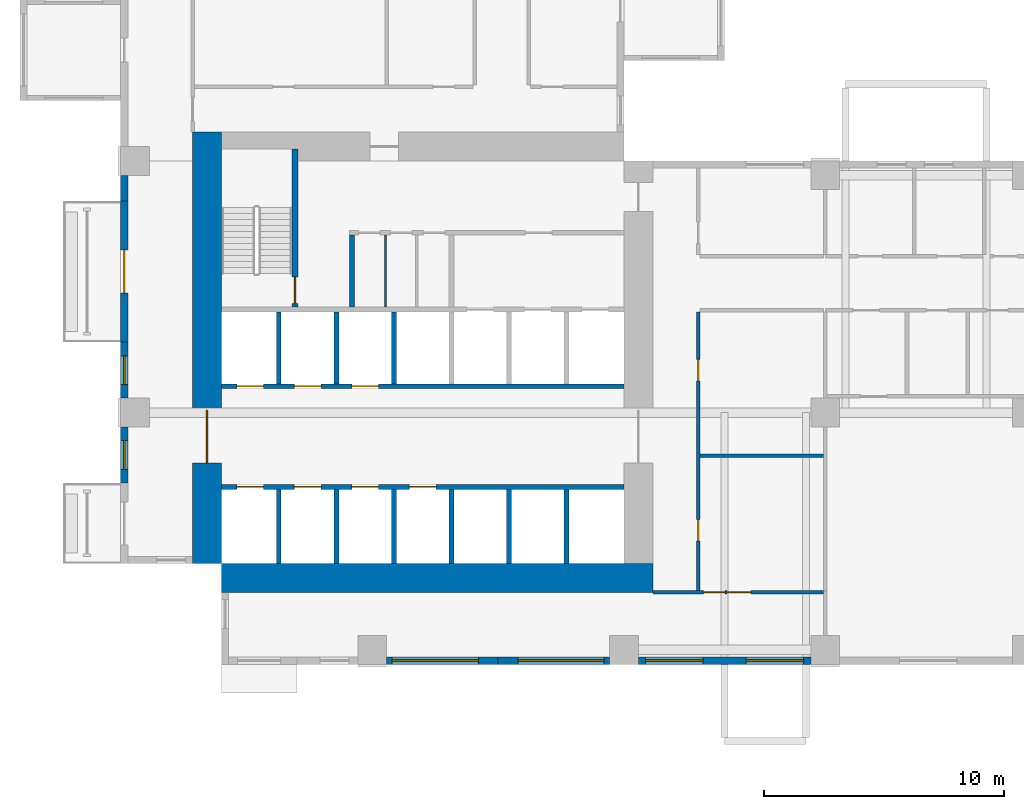
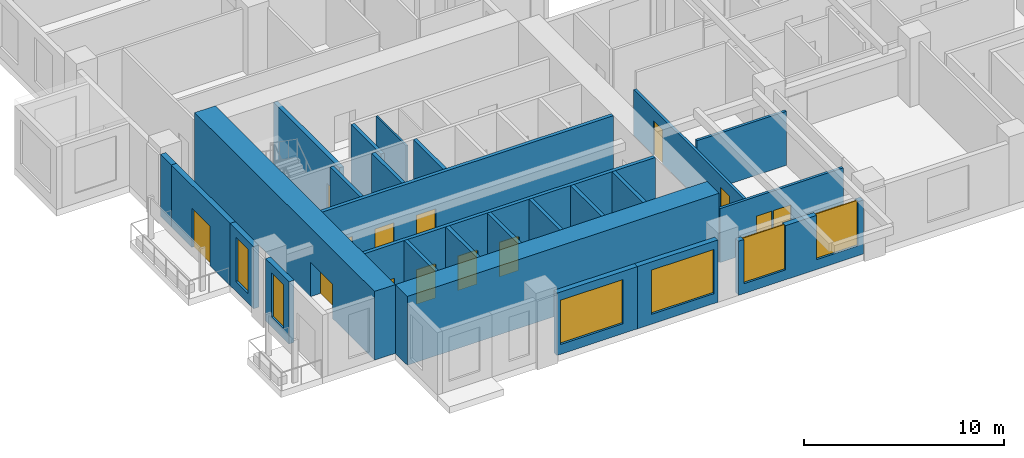
# One storey, part 2 of 15: 26 walls, 14 doors, 6 windows, 20 openings.
"""IFC4 building model written with IfcOpenShell, lengths in metres."""

from ifc_helpers import new_model, si_unit, direction, frame, frame_2d, origin, place, context, subcontext, project, spatial, rectangle, extrude, source, transform, mapped, material, layer, layer_set, type_object, element, fill, save


model = new_model("IFC4")

# Units and contexts
model_context = context("Model", 3, precision=1e-05, world=origin(), true_north=direction((0.0, 1.0)))
body_context = subcontext(model_context, "Body", "Model", "MODEL_VIEW")
ifc_project = project(units=[si_unit("LENGTHUNIT", "METRE"), si_unit("AREAUNIT", "SQUARE_METRE"), si_unit("VOLUMEUNIT", "CUBIC_METRE"), si_unit("PLANEANGLEUNIT", "RADIAN"), si_unit("MASSUNIT", "GRAM", prefix="KILO")], contexts=[model_context])

# Site, building, storey
site_placement = place(None, origin())
site = spatial("IfcSite", under=ifc_project, at=site_placement, CompositionType="ELEMENT")
building_placement = place(site_placement, origin())
building = spatial("IfcBuilding", under=site, at=building_placement, Name="Aurelian Terraces", CompositionType="ELEMENT")
storey_placement = place(building_placement, frame((0.0, 0.0, 61.5)))
storey = spatial("IfcBuildingStorey", under=building, at=storey_placement, Name="L12", CompositionType="ELEMENT", Elevation=61.5)

# Wall, opening, door
ifc_material_1 = material(Name="Concrete fc' 83 MPa", Category="concrete")
ifc_layer_1 = layer(ifc_material_1, 1.2)
ifc_layer_set_1 = layer_set([ifc_layer_1], Name="CORE WALL 1200 FC83")
wall_type_1 = type_object("IfcWallType", Name="CORE WALL 1200 FC83", PredefinedType="SHEAR", material=ifc_layer_set_1)
shared_shape_1 = source(origin(), body_context, "Body", "SweptSolid", [
    extrude(rectangle(XDim=18.0, YDim=1.2, at=frame_2d((9.0, 0.0))), origin(), (0.0, 0.0, 1.0), 4.2),
])
wall_1_placement = place(storey_placement, frame((3.6, 4.2, 0.0), z_axis=(0.0, 0.0, 1.0), x_axis=(0.0, 1.0, 0.0)))
wall_1 = element("IfcWall", 1, at=wall_1_placement, inside=storey, type_object=wall_type_1, Name="Core wall W L12", PredefinedType="SHEAR", context=body_context, shape_type="MappedRepresentation", body=[
    mapped(shared_shape_1, transform((0.0, 0.0, 0.0), scale=1.0)),
])
shared_shape_2 = source(origin(), body_context, "Body", "SweptSolid", [
    extrude(rectangle(XDim=2.2, YDim=2.1, at=frame_2d((1.1, 1.05))), frame((0.0, 0.61, 0.0), z_axis=(0.0, -1.0, 0.0), x_axis=(1.0, 0.0, 0.0)), (0.0, 0.0, 1.0), 1.22),
])
opening_1_placement = place(wall_1_placement, frame((4.2, 0.0, 0.0)))
opening_1 = element("IfcOpeningElement", 2, at=opening_1_placement, cuts=wall_1, Name="Opening 61522", PredefinedType="OPENING", context=body_context, shape_type="MappedRepresentation", body=[
    mapped(shared_shape_2, transform((0.0, 0.0, 0.0), scale=1.0)),
])
ifc_material_2 = material(Name="Steel door leaf", Category="steel")
door_type_1 = type_object("IfcDoorType", Name="Core double door 2200x2100", OperationType="DOUBLE_DOOR_SINGLE_SWING", PredefinedType="DOOR", material=ifc_material_2)
shared_shape_3 = source(origin(), body_context, "Body", "SweptSolid", [
    extrude(rectangle(XDim=2.2, YDim=2.1, at=frame_2d((1.1, 1.05))), frame((0.0, 0.025, 0.0), z_axis=(0.0, -1.0, 0.0), x_axis=(1.0, 0.0, 0.0)), (0.0, 0.0, 1.0), 0.05),
])
door_1_placement = place(opening_1_placement, origin())
door_1 = element("IfcDoor", 3, at=door_1_placement, inside=storey, type_object=door_type_1, Name="Core door 61522", OperationType="DOUBLE_DOOR_SINGLE_SWING", OverallHeight=2.1, OverallWidth=2.2, PredefinedType="DOOR", context=body_context, shape_type="MappedRepresentation", body=[
    mapped(shared_shape_3, transform((0.0, 0.0, 0.0), scale=1.0)),
])
fill(opening_1, door_1)

# Wall
wall_2_placement = place(storey_placement, frame((4.2, 3.6, 0.0), z_axis=(0.0, 0.0, 1.0), x_axis=(1.0, 0.0, 0.0)))
element("IfcWall", 4, at=wall_2_placement, inside=storey, type_object=wall_type_1, Name="Core wall S L12", PredefinedType="SHEAR", context=body_context, shape_type="MappedRepresentation", body=[
    mapped(shared_shape_1, transform((0.0, 0.0, 0.0), scale=1.0)),
])

# Wall, opening, window
ifc_material_3 = material(Name="Terracotta rainscreen cladding", Category="masonry")
ifc_layer_2 = layer(ifc_material_3, 0.3)
ifc_layer_set_2 = layer_set([ifc_layer_2], Name="EW-300")
wall_type_2 = type_object("IfcWallType", Name="EW-300", PredefinedType="STANDARD", material=ifc_layer_set_2)
shared_shape_4 = source(origin(), body_context, "Body", "SweptSolid", [
    extrude(rectangle(XDim=4.65, YDim=0.3, at=frame_2d((2.325, 0.0))), origin(), (0.0, 0.0, 1.0), 3.8),
])
wall_3_placement = place(storey_placement, frame((11.1, 0.15, 0.0), z_axis=(0.0, 0.0, 1.0), x_axis=(1.0, 0.0, 0.0)))
wall_3 = element("IfcWall", 5, at=wall_3_placement, inside=storey, type_object=wall_type_2, Name="External wall L12 F01.3", PredefinedType="STANDARD", context=body_context, shape_type="MappedRepresentation", body=[
    mapped(shared_shape_4, transform((0.0, 0.0, 0.0), scale=1.0)),
])
shared_shape_5 = source(origin(), body_context, "Body", "SweptSolid", [
    extrude(rectangle(XDim=3.6, YDim=2.7, at=frame_2d((1.8, 1.35))), frame((0.0, 0.16, 0.0), z_axis=(0.0, -1.0, 0.0), x_axis=(1.0, 0.0, 0.0)), (0.0, 0.0, 1.0), 0.32),
])
opening_2_placement = place(wall_3_placement, frame((0.225, 0.0, 0.6)))
opening_2 = element("IfcOpeningElement", 6, at=opening_2_placement, cuts=wall_3, Name="Opening W3627", PredefinedType="OPENING", context=body_context, shape_type="MappedRepresentation", body=[
    mapped(shared_shape_5, transform((0.0, 0.0, 0.0), scale=1.0)),
])
ifc_material_4 = material(Name="Clear glazing", Category="glass")
window_type_1 = type_object("IfcWindowType", Name="W-3600x2700", PartitioningType="SINGLE_PANEL", PredefinedType="WINDOW", material=ifc_material_4)
shared_shape_6 = source(origin(), body_context, "Body", "SweptSolid", [
    extrude(rectangle(XDim=3.6, YDim=2.7, at=frame_2d((1.8, 1.35))), frame((0.0, 0.03, 0.0), z_axis=(0.0, -1.0, 0.0), x_axis=(1.0, 0.0, 0.0)), (0.0, 0.0, 1.0), 0.06),
])
window_1_placement = place(opening_2_placement, origin())
window_1 = element("IfcWindow", 7, at=window_1_placement, inside=storey, type_object=window_type_1, Name="Window L12 L12-F01-03-0", OverallHeight=2.7, OverallWidth=3.6, PartitioningType="SINGLE_PANEL", PredefinedType="WINDOW", context=body_context, shape_type="MappedRepresentation", body=[
    mapped(shared_shape_6, transform((0.0, 0.0, 0.0), scale=1.0)),
])
fill(opening_2, window_1)

wall_4_placement = place(storey_placement, frame((15.75, 0.15, 0.0), z_axis=(0.0, 0.0, 1.0), x_axis=(1.0, 0.0, 0.0)))
wall_4 = element("IfcWall", 8, at=wall_4_placement, inside=storey, type_object=wall_type_2, Name="External wall L12 F01.4", PredefinedType="STANDARD", context=body_context, shape_type="MappedRepresentation", body=[
    mapped(shared_shape_4, transform((0.0, 0.0, 0.0), scale=1.0)),
])
opening_3_placement = place(wall_4_placement, frame((0.825, 0.0, 0.6)))
opening_3 = element("IfcOpeningElement", 9, at=opening_3_placement, cuts=wall_4, Name="Opening W3627", PredefinedType="OPENING", context=body_context, shape_type="MappedRepresentation", body=[
    mapped(shared_shape_5, transform((0.0, 0.0, 0.0), scale=1.0)),
])
window_2_placement = place(opening_3_placement, origin())
window_2 = element("IfcWindow", 10, at=window_2_placement, inside=storey, type_object=window_type_1, Name="Window L12 L12-F01-04-0", OverallHeight=2.7, OverallWidth=3.6, PartitioningType="SINGLE_PANEL", PredefinedType="WINDOW", context=body_context, shape_type="MappedRepresentation", body=[
    mapped(shared_shape_6, transform((0.0, 0.0, 0.0), scale=1.0)),
])
fill(opening_3, window_2)

# Wall, opening, door
shared_shape_7 = source(origin(), body_context, "Body", "SweptSolid", [
    extrude(rectangle(XDim=5.88, YDim=0.3, at=frame_2d((2.94, 0.0))), origin(), (0.0, 0.0, 1.0), 3.8),
])
wall_5_placement = place(storey_placement, frame((0.15, 19.32, 0.0), z_axis=(0.0, 0.0, 1.0), x_axis=(0.0, -1.0, 0.0)))
wall_5 = element("IfcWall", 11, at=wall_5_placement, inside=storey, type_object=wall_type_2, Name="External wall L12 F14.39", PredefinedType="STANDARD", context=body_context, shape_type="MappedRepresentation", body=[
    mapped(shared_shape_7, transform((0.0, 0.0, 0.0), scale=1.0)),
])
shared_shape_8 = source(origin(), body_context, "Body", "SweptSolid", [
    extrude(rectangle(XDim=1.8, YDim=2.4, at=frame_2d((0.9, 1.2))), frame((0.0, 0.16, 0.0), z_axis=(0.0, -1.0, 0.0), x_axis=(1.0, 0.0, 0.0)), (0.0, 0.0, 1.0), 0.32),
])
opening_4_placement = place(wall_5_placement, frame((2.04, 0.0, 0.0)))
opening_4 = element("IfcOpeningElement", 12, at=opening_4_placement, cuts=wall_5, Name="Opening 81203", PredefinedType="OPENING", context=body_context, shape_type="MappedRepresentation", body=[
    mapped(shared_shape_8, transform((0.0, 0.0, 0.0), scale=1.0)),
])
door_type_2 = type_object("IfcDoorType", Name="BD-1800x2400", OperationType="SLIDING_TO_LEFT", PredefinedType="DOOR", material=ifc_material_4)
shared_shape_9 = source(origin(), body_context, "Body", "SweptSolid", [
    extrude(rectangle(XDim=1.8, YDim=2.4, at=frame_2d((0.9, 1.2))), frame((0.0, 0.025, 0.0), z_axis=(0.0, -1.0, 0.0), x_axis=(1.0, 0.0, 0.0)), (0.0, 0.0, 1.0), 0.05),
])
door_2_placement = place(opening_4_placement, origin())
door_2 = element("IfcDoor", 13, at=door_2_placement, inside=storey, type_object=door_type_2, Name="Balcony door L12 F14.39", OperationType="SLIDING_TO_LEFT", OverallHeight=2.4, OverallWidth=1.8, PredefinedType="DOOR", context=body_context, shape_type="MappedRepresentation", body=[
    mapped(shared_shape_9, transform((0.0, 0.0, 0.0), scale=1.0)),
])
fill(opening_4, door_2)

# Wall, opening, window
shared_shape_10 = source(origin(), body_context, "Body", "SweptSolid", [
    extrude(rectangle(XDim=2.34, YDim=0.3, at=frame_2d((1.17, 0.0))), origin(), (0.0, 0.0, 1.0), 3.8),
])
wall_6_placement = place(storey_placement, frame((0.15, 13.44, 0.0), z_axis=(0.0, 0.0, 1.0), x_axis=(0.0, -1.0, 0.0)))
wall_6 = element("IfcWall", 14, at=wall_6_placement, inside=storey, type_object=wall_type_2, Name="External wall L12 F14.40", PredefinedType="STANDARD", context=body_context, shape_type="MappedRepresentation", body=[
    mapped(shared_shape_10, transform((0.0, 0.0, 0.0), scale=1.0)),
])
shared_shape_11 = source(origin(), body_context, "Body", "SweptSolid", [
    extrude(rectangle(XDim=1.2, YDim=2.7, at=frame_2d((0.6, 1.35))), frame((0.0, 0.16, 0.0), z_axis=(0.0, -1.0, 0.0), x_axis=(1.0, 0.0, 0.0)), (0.0, 0.0, 1.0), 0.32),
])
opening_5_placement = place(wall_6_placement, frame((0.57, 0.0, 0.6)))
opening_5 = element("IfcOpeningElement", 15, at=opening_5_placement, cuts=wall_6, Name="Opening W1227", PredefinedType="OPENING", context=body_context, shape_type="MappedRepresentation", body=[
    mapped(shared_shape_11, transform((0.0, 0.0, 0.0), scale=1.0)),
])
window_type_2 = type_object("IfcWindowType", Name="W-1200x2700", PartitioningType="SINGLE_PANEL", PredefinedType="WINDOW", material=ifc_material_4)
shared_shape_12 = source(origin(), body_context, "Body", "SweptSolid", [
    extrude(rectangle(XDim=1.2, YDim=2.7, at=frame_2d((0.6, 1.35))), frame((0.0, 0.03, 0.0), z_axis=(0.0, -1.0, 0.0), x_axis=(1.0, 0.0, 0.0)), (0.0, 0.0, 1.0), 0.06),
])
window_3_placement = place(opening_5_placement, origin())
window_3 = element("IfcWindow", 16, at=window_3_placement, inside=storey, type_object=window_type_2, Name="Window L12 L12-F14-40-P0", OverallHeight=2.7, OverallWidth=1.2, PartitioningType="SINGLE_PANEL", PredefinedType="WINDOW", context=body_context, shape_type="MappedRepresentation", body=[
    mapped(shared_shape_12, transform((0.0, 0.0, 0.0), scale=1.0)),
])
fill(opening_5, window_3)

wall_7_placement = place(storey_placement, frame((0.15, 9.9, 0.0), z_axis=(0.0, 0.0, 1.0), x_axis=(0.0, -1.0, 0.0)))
wall_7 = element("IfcWall", 17, at=wall_7_placement, inside=storey, type_object=wall_type_2, Name="External wall L12 F14.40", PredefinedType="STANDARD", context=body_context, shape_type="MappedRepresentation", body=[
    mapped(shared_shape_10, transform((0.0, 0.0, 0.0), scale=1.0)),
])
opening_6_placement = place(wall_7_placement, frame((0.57, 0.0, 0.6)))
opening_6 = element("IfcOpeningElement", 18, at=opening_6_placement, cuts=wall_7, Name="Opening W1227", PredefinedType="OPENING", context=body_context, shape_type="MappedRepresentation", body=[
    mapped(shared_shape_11, transform((0.0, 0.0, 0.0), scale=1.0)),
])
window_4_placement = place(opening_6_placement, origin())
window_4 = element("IfcWindow", 19, at=window_4_placement, inside=storey, type_object=window_type_2, Name="Window L12 L12-F14-40-P1", OverallHeight=2.7, OverallWidth=1.2, PartitioningType="SINGLE_PANEL", PredefinedType="WINDOW", context=body_context, shape_type="MappedRepresentation", body=[
    mapped(shared_shape_12, transform((0.0, 0.0, 0.0), scale=1.0)),
])
fill(opening_6, window_4)

# Wall, openings, windows
shared_shape_13 = source(origin(), body_context, "Body", "SweptSolid", [
    extrude(rectangle(XDim=7.2, YDim=0.3, at=frame_2d((3.6, 0.0))), origin(), (0.0, 0.0, 1.0), 3.3),
])
wall_8_placement = place(storey_placement, frame((21.6, 0.15, 0.0), z_axis=(0.0, 0.0, 1.0), x_axis=(1.0, 0.0, 0.0)))
wall_8 = element("IfcWall", 20, at=wall_8_placement, inside=storey, type_object=wall_type_2, Name="External wall L12 F01.5", PredefinedType="STANDARD", context=body_context, shape_type="MappedRepresentation", body=[
    mapped(shared_shape_13, transform((0.0, 0.0, 0.0), scale=1.0)),
])
shared_shape_14 = source(origin(), body_context, "Body", "SweptSolid", [
    extrude(rectangle(XDim=2.4, YDim=2.7, at=frame_2d((1.2, 1.35))), frame((0.0, 0.16, 0.0), z_axis=(0.0, -1.0, 0.0), x_axis=(1.0, 0.0, 0.0)), (0.0, 0.0, 1.0), 0.32),
])
opening_7_placement = place(wall_8_placement, frame((0.3, 0.0, 0.6)))
opening_7 = element("IfcOpeningElement", 21, at=opening_7_placement, cuts=wall_8, Name="Opening W2427", PredefinedType="OPENING", context=body_context, shape_type="MappedRepresentation", body=[
    mapped(shared_shape_14, transform((0.0, 0.0, 0.0), scale=1.0)),
])
opening_8_placement = place(wall_8_placement, frame((4.5, 0.0, 0.6)))
opening_8 = element("IfcOpeningElement", 22, at=opening_8_placement, cuts=wall_8, Name="Opening W2427", PredefinedType="OPENING", context=body_context, shape_type="MappedRepresentation", body=[
    mapped(shared_shape_14, transform((0.0, 0.0, 0.0), scale=1.0)),
])
window_type_3 = type_object("IfcWindowType", Name="W-2400x2700", PartitioningType="SINGLE_PANEL", PredefinedType="WINDOW", material=ifc_material_4)
shared_shape_15 = source(origin(), body_context, "Body", "SweptSolid", [
    extrude(rectangle(XDim=2.4, YDim=2.7, at=frame_2d((1.2, 1.35))), frame((0.0, 0.03, 0.0), z_axis=(0.0, -1.0, 0.0), x_axis=(1.0, 0.0, 0.0)), (0.0, 0.0, 1.0), 0.06),
])
window_5_placement = place(opening_7_placement, origin())
window_5 = element("IfcWindow", 23, at=window_5_placement, inside=storey, type_object=window_type_3, Name="Window L12 L12-F01-05-0", OverallHeight=2.7, OverallWidth=2.4, PartitioningType="SINGLE_PANEL", PredefinedType="WINDOW", context=body_context, shape_type="MappedRepresentation", body=[
    mapped(shared_shape_15, transform((0.0, 0.0, 0.0), scale=1.0)),
])
fill(opening_7, window_5)
window_6_placement = place(opening_8_placement, origin())
window_6 = element("IfcWindow", 24, at=window_6_placement, inside=storey, type_object=window_type_3, Name="Window L12 L12-F01-05-1", OverallHeight=2.7, OverallWidth=2.4, PartitioningType="SINGLE_PANEL", PredefinedType="WINDOW", context=body_context, shape_type="MappedRepresentation", body=[
    mapped(shared_shape_15, transform((0.0, 0.0, 0.0), scale=1.0)),
])
fill(opening_8, window_6)

# Walls
shared_shape_16 = source(origin(), body_context, "Body", "SweptSolid", [
    extrude(rectangle(XDim=1.08, YDim=0.3, at=frame_2d((0.54, 0.0))), origin(), (0.0, 0.0, 1.0), 3.8),
])
wall_9_placement = place(storey_placement, frame((0.15, 20.4, 0.0), z_axis=(0.0, 0.0, 1.0), x_axis=(0.0, -1.0, 0.0)))
element("IfcWall", 25, at=wall_9_placement, inside=storey, type_object=wall_type_2, Name="External wall L12 F14.38", PredefinedType="STANDARD", context=body_context, shape_type="MappedRepresentation", body=[
    mapped(shared_shape_16, transform((0.0, 0.0, 0.0), scale=1.0)),
])
ifc_material_5 = material(Name="Concrete fc' 40 MPa", Category="concrete")
ifc_layer_3 = layer(ifc_material_5, 0.2)
ifc_layer_set_3 = layer_set([ifc_layer_3], Name="Lift shaft wall 200")
wall_type_3 = type_object("IfcWallType", Name="Lift shaft wall 200", PredefinedType="SOLIDWALL", material=ifc_layer_set_3)
shared_shape_17 = source(origin(), body_context, "Body", "SweptSolid", [
    extrude(rectangle(XDim=3.1, YDim=0.2, at=frame_2d((1.55, 0.0))), origin(), (0.0, 0.0, 1.0), 4.2),
])
for number, where, z_axis, x_axis, name in (
    (26, (6.6, 4.2, 0.0), (0.0, 0.0, 1.0), (0.0, 1.0, 0.0), "L12 core wall CD-A1"),
    (27, (9.0, 4.2, 0.0), (0.0, 0.0, 1.0), (0.0, 1.0, 0.0), "L12 core wall CD-A2"),
    (28, (11.4, 4.2, 0.0), (0.0, 0.0, 1.0), (0.0, 1.0, 0.0), "L12 core wall CD-A3"),
    (29, (13.8, 4.2, 0.0), (0.0, 0.0, 1.0), (0.0, 1.0, 0.0), "L12 core wall CD-A4"),
    (30, (16.2, 4.2, 0.0), (0.0, 0.0, 1.0), (0.0, 1.0, 0.0), "L12 core wall CD-A5"),
    (31, (18.6, 4.2, 0.0), (0.0, 0.0, 1.0), (0.0, 1.0, 0.0), "L12 core wall CD-A6"),
):
    element("IfcWall", number, at=place(storey_placement, frame(where, z_axis=z_axis, x_axis=x_axis)), inside=storey, type_object=wall_type_3, Name=name, PredefinedType="SOLIDWALL", context=body_context, shape_type="MappedRepresentation", body=[
        mapped(shared_shape_17, transform((0.0, 0.0, 0.0), scale=1.0)),
    ])
shared_shape_18 = source(origin(), body_context, "Body", "SweptSolid", [
    extrude(rectangle(XDim=3.0, YDim=0.2, at=frame_2d((1.5, 0.0))), origin(), (0.0, 0.0, 1.0), 4.2),
])
for number, where, z_axis, x_axis, name in (
    (32, (6.6, 11.7, 0.0), (0.0, 0.0, 1.0), (0.0, 1.0, 0.0), "L12 core wall CD-B1"),
    (33, (9.0, 11.7, 0.0), (0.0, 0.0, 1.0), (0.0, 1.0, 0.0), "L12 core wall CD-B2"),
    (34, (11.4, 11.7, 0.0), (0.0, 0.0, 1.0), (0.0, 1.0, 0.0), "L12 core wall CD-B3"),
):
    element("IfcWall", number, at=place(storey_placement, frame(where, z_axis=z_axis, x_axis=x_axis)), inside=storey, type_object=wall_type_3, Name=name, PredefinedType="SOLIDWALL", context=body_context, shape_type="MappedRepresentation", body=[
        mapped(shared_shape_18, transform((0.0, 0.0, 0.0), scale=1.0)),
    ])

# Wall, openings, doors
shared_shape_19 = source(origin(), body_context, "Body", "SweptSolid", [
    extrude(rectangle(XDim=16.8, YDim=0.2, at=frame_2d((8.4, 0.0))), origin(), (0.0, 0.0, 1.0), 4.2),
])
wall_10_placement = place(storey_placement, frame((4.2, 7.4, 0.0), z_axis=(0.0, 0.0, 1.0), x_axis=(1.0, 0.0, 0.0)))
wall_10 = element("IfcWall", 35, at=wall_10_placement, inside=storey, type_object=wall_type_3, Name="L12 core wall CF-AF1", PredefinedType="SOLIDWALL", context=body_context, shape_type="MappedRepresentation", body=[
    mapped(shared_shape_19, transform((0.0, 0.0, 0.0), scale=1.0)),
])
shared_shape_20 = source(origin(), body_context, "Body", "SweptSolid", [
    extrude(rectangle(XDim=1.1, YDim=2.1, at=frame_2d((0.55, 1.05))), frame((0.0, 0.11, 0.0), z_axis=(0.0, -1.0, 0.0), x_axis=(1.0, 0.0, 0.0)), (0.0, 0.0, 1.0), 0.22),
])
opening_9_placement = place(wall_10_placement, frame((0.65, 0.0, 0.0)))
opening_9 = element("IfcOpeningElement", 36, at=opening_9_placement, cuts=wall_10, Name="Opening 61500", PredefinedType="OPENING", context=body_context, shape_type="MappedRepresentation", body=[
    mapped(shared_shape_20, transform((0.0, 0.0, 0.0), scale=1.0)),
])
opening_10_placement = place(wall_10_placement, frame((3.05, 0.0, 0.0)))
opening_10 = element("IfcOpeningElement", 37, at=opening_10_placement, cuts=wall_10, Name="Opening 61501", PredefinedType="OPENING", context=body_context, shape_type="MappedRepresentation", body=[
    mapped(shared_shape_20, transform((0.0, 0.0, 0.0), scale=1.0)),
])
opening_11_placement = place(wall_10_placement, frame((5.45, 0.0, 0.0)))
opening_11 = element("IfcOpeningElement", 38, at=opening_11_placement, cuts=wall_10, Name="Opening 61502", PredefinedType="OPENING", context=body_context, shape_type="MappedRepresentation", body=[
    mapped(shared_shape_20, transform((0.0, 0.0, 0.0), scale=1.0)),
])
opening_12_placement = place(wall_10_placement, frame((7.85, 0.0, 0.0)))
opening_12 = element("IfcOpeningElement", 39, at=opening_12_placement, cuts=wall_10, Name="Opening 61503", PredefinedType="OPENING", context=body_context, shape_type="MappedRepresentation", body=[
    mapped(shared_shape_20, transform((0.0, 0.0, 0.0), scale=1.0)),
])
ifc_material_6 = material(Name="Stainless steel", Category="steel")
door_type_3 = type_object("IfcDoorType", Name="Lift landing door 1100x2100", OperationType="SLIDING_TO_LEFT", PredefinedType="DOOR", material=ifc_material_6)
shared_shape_21 = source(origin(), body_context, "Body", "SweptSolid", [
    extrude(rectangle(XDim=1.1, YDim=2.1, at=frame_2d((0.55, 1.05))), frame((0.0, 0.025, 0.0), z_axis=(0.0, -1.0, 0.0), x_axis=(1.0, 0.0, 0.0)), (0.0, 0.0, 1.0), 0.05),
])
door_3_placement = place(opening_9_placement, origin())
door_3 = element("IfcDoor", 40, at=door_3_placement, inside=storey, type_object=door_type_3, Name="Lift landing door LL1 L12", OperationType="SLIDING_TO_LEFT", OverallHeight=2.1, OverallWidth=1.1, PredefinedType="DOOR", context=body_context, shape_type="MappedRepresentation", body=[
    mapped(shared_shape_21, transform((0.0, 0.0, 0.0), scale=1.0)),
])
fill(opening_9, door_3)
door_4_placement = place(opening_10_placement, origin())
door_4 = element("IfcDoor", 41, at=door_4_placement, inside=storey, type_object=door_type_3, Name="Lift landing door LL2 L12", OperationType="SLIDING_TO_LEFT", OverallHeight=2.1, OverallWidth=1.1, PredefinedType="DOOR", context=body_context, shape_type="MappedRepresentation", body=[
    mapped(shared_shape_21, transform((0.0, 0.0, 0.0), scale=1.0)),
])
fill(opening_10, door_4)
door_5_placement = place(opening_11_placement, origin())
door_5 = element("IfcDoor", 42, at=door_5_placement, inside=storey, type_object=door_type_3, Name="Lift landing door LL3 L12", OperationType="SLIDING_TO_LEFT", OverallHeight=2.1, OverallWidth=1.1, PredefinedType="DOOR", context=body_context, shape_type="MappedRepresentation", body=[
    mapped(shared_shape_21, transform((0.0, 0.0, 0.0), scale=1.0)),
])
fill(opening_11, door_5)
door_6_placement = place(opening_12_placement, origin())
door_6 = element("IfcDoor", 43, at=door_6_placement, inside=storey, type_object=door_type_3, Name="Lift landing door LL4 L12", OperationType="SLIDING_TO_LEFT", OverallHeight=2.1, OverallWidth=1.1, PredefinedType="DOOR", context=body_context, shape_type="MappedRepresentation", body=[
    mapped(shared_shape_21, transform((0.0, 0.0, 0.0), scale=1.0)),
])
fill(opening_12, door_6)

wall_11_placement = place(storey_placement, frame((4.2, 11.6, 0.0), z_axis=(0.0, 0.0, 1.0), x_axis=(1.0, 0.0, 0.0)))
wall_11 = element("IfcWall", 44, at=wall_11_placement, inside=storey, type_object=wall_type_3, Name="L12 core wall CF-BF1", PredefinedType="SOLIDWALL", context=body_context, shape_type="MappedRepresentation", body=[
    mapped(shared_shape_19, transform((0.0, 0.0, 0.0), scale=1.0)),
])
opening_13_placement = place(wall_11_placement, frame((0.65, 0.0, 0.0)))
opening_13 = element("IfcOpeningElement", 45, at=opening_13_placement, cuts=wall_11, Name="Opening 61504", PredefinedType="OPENING", context=body_context, shape_type="MappedRepresentation", body=[
    mapped(shared_shape_20, transform((0.0, 0.0, 0.0), scale=1.0)),
])
opening_14_placement = place(wall_11_placement, frame((3.05, 0.0, 0.0)))
opening_14 = element("IfcOpeningElement", 46, at=opening_14_placement, cuts=wall_11, Name="Opening 61505", PredefinedType="OPENING", context=body_context, shape_type="MappedRepresentation", body=[
    mapped(shared_shape_20, transform((0.0, 0.0, 0.0), scale=1.0)),
])
opening_15_placement = place(wall_11_placement, frame((5.45, 0.0, 0.0)))
opening_15 = element("IfcOpeningElement", 47, at=opening_15_placement, cuts=wall_11, Name="Opening 61506", PredefinedType="OPENING", context=body_context, shape_type="MappedRepresentation", body=[
    mapped(shared_shape_20, transform((0.0, 0.0, 0.0), scale=1.0)),
])
door_7_placement = place(opening_13_placement, origin())
door_7 = element("IfcDoor", 48, at=door_7_placement, inside=storey, type_object=door_type_3, Name="Lift landing door LL5 L12", OperationType="SLIDING_TO_LEFT", OverallHeight=2.1, OverallWidth=1.1, PredefinedType="DOOR", context=body_context, shape_type="MappedRepresentation", body=[
    mapped(shared_shape_21, transform((0.0, 0.0, 0.0), scale=1.0)),
])
fill(opening_13, door_7)
door_8_placement = place(opening_14_placement, origin())
door_8 = element("IfcDoor", 49, at=door_8_placement, inside=storey, type_object=door_type_3, Name="Lift landing door LL6 L12", OperationType="SLIDING_TO_LEFT", OverallHeight=2.1, OverallWidth=1.1, PredefinedType="DOOR", context=body_context, shape_type="MappedRepresentation", body=[
    mapped(shared_shape_21, transform((0.0, 0.0, 0.0), scale=1.0)),
])
fill(opening_14, door_8)
door_9_placement = place(opening_15_placement, origin())
door_9 = element("IfcDoor", 50, at=door_9_placement, inside=storey, type_object=door_type_3, Name="Lift landing door LL7 L12", OperationType="SLIDING_TO_LEFT", OverallHeight=2.1, OverallWidth=1.1, PredefinedType="DOOR", context=body_context, shape_type="MappedRepresentation", body=[
    mapped(shared_shape_21, transform((0.0, 0.0, 0.0), scale=1.0)),
])
fill(opening_15, door_9)

# Walls
ifc_material_7 = material(Name="Gypsum board on steel studs", Category="steel")
ifc_layer_4 = layer(ifc_material_7, 0.2)
ifc_layer_set_4 = layer_set([ifc_layer_4], Name="Core partition 200")
wall_type_4 = type_object("IfcWallType", Name="Core partition 200", PredefinedType="PARTITIONING", material=ifc_layer_set_4)
shared_shape_22 = source(origin(), body_context, "Body", "SweptSolid", [
    extrude(rectangle(XDim=3.0, YDim=0.2, at=frame_2d((1.5, 0.0))), origin(), (0.0, 0.0, 1.0), 3.8),
])
wall_12_placement = place(storey_placement, frame((9.65, 14.9, 0.0), z_axis=(0.0, 0.0, 1.0), x_axis=(0.0, 1.0, 0.0)))
element("IfcWall", 51, at=wall_12_placement, inside=storey, type_object=wall_type_4, Name="L12 core wall CP-VEST", PredefinedType="PARTITIONING", context=body_context, shape_type="MappedRepresentation", body=[
    mapped(shared_shape_22, transform((0.0, 0.0, 0.0), scale=1.0)),
])
ifc_layer_5 = layer(ifc_material_7, 0.1)
ifc_layer_set_5 = layer_set([ifc_layer_5], Name="Core partition 100")
wall_type_5 = type_object("IfcWallType", Name="Core partition 100", PredefinedType="PARTITIONING", material=ifc_layer_set_5)
shared_shape_23 = source(origin(), body_context, "Body", "SweptSolid", [
    extrude(rectangle(XDim=3.0, YDim=0.1, at=frame_2d((1.5, 0.0))), origin(), (0.0, 0.0, 1.0), 3.8),
])
wall_13_placement = place(storey_placement, frame((11.05, 14.9, 0.0), z_axis=(0.0, 0.0, 1.0), x_axis=(0.0, 1.0, 0.0)))
element("IfcWall", 52, at=wall_13_placement, inside=storey, type_object=wall_type_5, Name="L12 core wall CP-SV1", PredefinedType="PARTITIONING", context=body_context, shape_type="MappedRepresentation", body=[
    mapped(shared_shape_23, transform((0.0, 0.0, 0.0), scale=1.0)),
])

# Wall, opening, door
ifc_layer_6 = layer(ifc_material_5, 0.25)
ifc_layer_set_6 = layer_set([ifc_layer_6], Name="Stair enclosure wall 250")
wall_type_6 = type_object("IfcWallType", Name="Stair enclosure wall 250", PredefinedType="SOLIDWALL", material=ifc_layer_set_6)
shared_shape_24 = source(origin(), body_context, "Body", "SweptSolid", [
    extrude(rectangle(XDim=6.6, YDim=0.25, at=frame_2d((3.3, 0.0))), origin(), (0.0, 0.0, 1.0), 3.8),
])
wall_14_placement = place(storey_placement, frame((7.275, 14.9, 0.0), z_axis=(0.0, 0.0, 1.0), x_axis=(0.0, 1.0, 0.0)))
wall_14 = element("IfcWall", 53, at=wall_14_placement, inside=storey, type_object=wall_type_6, Name="L12 core wall ST-S1-E", PredefinedType="SOLIDWALL", context=body_context, shape_type="MappedRepresentation", body=[
    mapped(shared_shape_24, transform((0.0, 0.0, 0.0), scale=1.0)),
])
shared_shape_25 = source(origin(), body_context, "Body", "SweptSolid", [
    extrude(rectangle(XDim=1.1, YDim=2.1, at=frame_2d((0.55, 1.05))), frame((0.0, 0.135, 0.0), z_axis=(0.0, -1.0, 0.0), x_axis=(1.0, 0.0, 0.0)), (0.0, 0.0, 1.0), 0.27),
])
opening_16_placement = place(wall_14_placement, frame((0.15, 0.0, 0.0)))
opening_16 = element("IfcOpeningElement", 54, at=opening_16_placement, cuts=wall_14, Name="Opening 61510", PredefinedType="OPENING", context=body_context, shape_type="MappedRepresentation", body=[
    mapped(shared_shape_25, transform((0.0, 0.0, 0.0), scale=1.0)),
])
door_type_4 = type_object("IfcDoorType", Name="Core fire door 1100x2100 right", OperationType="SINGLE_SWING_RIGHT", PredefinedType="DOOR", material=ifc_material_2)
door_10_placement = place(opening_16_placement, origin())
door_10 = element("IfcDoor", 55, at=door_10_placement, inside=storey, type_object=door_type_4, Name="Stair door 61510", OperationType="SINGLE_SWING_RIGHT", OverallHeight=2.1, OverallWidth=1.1, PredefinedType="DOOR", context=body_context, shape_type="MappedRepresentation", body=[
    mapped(shared_shape_21, transform((0.0, 0.0, 0.0), scale=1.0)),
])
fill(opening_16, door_10)

# Wall
ifc_layer_7 = layer(ifc_material_7, 0.15)
ifc_layer_set_7 = layer_set([ifc_layer_7], Name="Partition 150")
wall_type_7 = type_object("IfcWallType", Name="Partition 150", PredefinedType="PARTITIONING", material=ifc_layer_set_7)
shared_shape_26 = source(origin(), body_context, "Body", "SweptSolid", [
    extrude(rectangle(XDim=5.15, YDim=0.15, at=frame_2d((2.575, 0.0))), origin(), (0.0, 0.0, 1.0), 3.3),
])
wall_15_placement = place(storey_placement, frame((29.325, 8.7, 0.0), z_axis=(0.0, 0.0, 1.0), x_axis=(-1.0, 0.0, 0.0)))
element("IfcWall", 56, at=wall_15_placement, inside=storey, type_object=wall_type_7, Name="Partition", PredefinedType="PARTITIONING", context=body_context, shape_type="MappedRepresentation", body=[
    mapped(shared_shape_26, transform((0.0, 0.0, 0.0), scale=1.0)),
])

# Wall, openings, doors
shared_shape_27 = source(origin(), body_context, "Body", "SweptSolid", [
    extrude(rectangle(XDim=7.125, YDim=0.15, at=frame_2d((3.5625, 0.0))), origin(), (0.0, 0.0, 1.0), 3.3),
])
wall_16_placement = place(storey_placement, frame((22.2, 3.0, 0.0), z_axis=(0.0, 0.0, 1.0), x_axis=(1.0, 0.0, 0.0)))
wall_16 = element("IfcWall", 57, at=wall_16_placement, inside=storey, type_object=wall_type_7, Name="Partition", PredefinedType="PARTITIONING", context=body_context, shape_type="MappedRepresentation", body=[
    mapped(shared_shape_27, transform((0.0, 0.0, 0.0), scale=1.0)),
])
shared_shape_28 = source(origin(), body_context, "Body", "SweptSolid", [
    extrude(rectangle(XDim=1.0, YDim=2.1, at=frame_2d((0.5, 1.05))), frame((0.0, 0.085, 0.0), z_axis=(0.0, -1.0, 0.0), x_axis=(1.0, 0.0, 0.0)), (0.0, 0.0, 1.0), 0.17),
])
opening_17_placement = place(wall_16_placement, frame((3.1, 0.0, 0.0)))
opening_17 = element("IfcOpeningElement", 58, at=opening_17_placement, cuts=wall_16, Name="Opening 712004", PredefinedType="OPENING", context=body_context, shape_type="MappedRepresentation", body=[
    mapped(shared_shape_28, transform((0.0, 0.0, 0.0), scale=1.0)),
])
shared_shape_29 = source(origin(), body_context, "Body", "SweptSolid", [
    extrude(rectangle(XDim=0.9, YDim=2.1, at=frame_2d((0.45, 1.05))), frame((0.0, 0.085, 0.0), z_axis=(0.0, -1.0, 0.0), x_axis=(1.0, 0.0, 0.0)), (0.0, 0.0, 1.0), 0.17),
])
opening_18_placement = place(wall_16_placement, frame((2.112, 0.0, 0.0)))
opening_18 = element("IfcOpeningElement", 59, at=opening_18_placement, cuts=wall_16, Name="Opening 712050", PredefinedType="OPENING", context=body_context, shape_type="MappedRepresentation", body=[
    mapped(shared_shape_29, transform((0.0, 0.0, 0.0), scale=1.0)),
])
ifc_material_8 = material(Name="Timber door leaf", Category="wood")
door_type_5 = type_object("IfcDoorType", Name="Room door 1000x2100 left", OperationType="SINGLE_SWING_LEFT", PredefinedType="DOOR", material=ifc_material_8)
shared_shape_30 = source(origin(), body_context, "Body", "SweptSolid", [
    extrude(rectangle(XDim=1.0, YDim=2.1, at=frame_2d((0.5, 1.05))), frame((0.0, 0.025, 0.0), z_axis=(0.0, -1.0, 0.0), x_axis=(1.0, 0.0, 0.0)), (0.0, 0.0, 1.0), 0.05),
])
door_11_placement = place(opening_17_placement, origin())
door_11 = element("IfcDoor", 60, at=door_11_placement, inside=storey, type_object=door_type_5, Name="Door 712004", OperationType="SINGLE_SWING_LEFT", OverallHeight=2.1, OverallWidth=1.0, PredefinedType="DOOR", context=body_context, shape_type="MappedRepresentation", body=[
    mapped(shared_shape_30, transform((0.0, 0.0, 0.0), scale=1.0)),
])
fill(opening_17, door_11)
door_type_6 = type_object("IfcDoorType", Name="Room door 900x2100 left", OperationType="SINGLE_SWING_LEFT", PredefinedType="DOOR", material=ifc_material_8)
shared_shape_31 = source(origin(), body_context, "Body", "SweptSolid", [
    extrude(rectangle(XDim=0.9, YDim=2.1, at=frame_2d((0.45, 1.05))), frame((0.0, 0.025, 0.0), z_axis=(0.0, -1.0, 0.0), x_axis=(1.0, 0.0, 0.0)), (0.0, 0.0, 1.0), 0.05),
])
door_12_placement = place(opening_18_placement, origin())
door_12 = element("IfcDoor", 61, at=door_12_placement, inside=storey, type_object=door_type_6, Name="Door 712050", OperationType="SINGLE_SWING_LEFT", OverallHeight=2.1, OverallWidth=0.9, PredefinedType="DOOR", context=body_context, shape_type="MappedRepresentation", body=[
    mapped(shared_shape_31, transform((0.0, 0.0, 0.0), scale=1.0)),
])
fill(opening_18, door_12)

shared_shape_32 = source(origin(), body_context, "Body", "SweptSolid", [
    extrude(rectangle(XDim=11.625, YDim=0.15, at=frame_2d((5.8125, 0.0))), origin(), (0.0, 0.0, 1.0), 2.8),
])
wall_17_placement = place(storey_placement, frame((24.1, 14.7, 0.0), z_axis=(0.0, 0.0, 1.0), x_axis=(0.0, -1.0, 0.0)))
wall_17 = element("IfcWall", 62, at=wall_17_placement, inside=storey, type_object=wall_type_7, Name="Partition", PredefinedType="PARTITIONING", context=body_context, shape_type="MappedRepresentation", body=[
    mapped(shared_shape_32, transform((0.0, 0.0, 0.0), scale=1.0)),
])
opening_19_placement = place(wall_17_placement, frame((8.6625, 0.0, 0.0)))
opening_19 = element("IfcOpeningElement", 63, at=opening_19_placement, cuts=wall_17, Name="Opening 712001", PredefinedType="OPENING", context=body_context, shape_type="MappedRepresentation", body=[
    mapped(shared_shape_29, transform((0.0, 0.0, 0.0), scale=1.0)),
])
opening_20_placement = place(wall_17_placement, frame((1.975, 0.0, 0.0)))
opening_20 = element("IfcOpeningElement", 64, at=opening_20_placement, cuts=wall_17, Name="Opening 712002", PredefinedType="OPENING", context=body_context, shape_type="MappedRepresentation", body=[
    mapped(shared_shape_29, transform((0.0, 0.0, 0.0), scale=1.0)),
])
door_type_7 = type_object("IfcDoorType", Name="Room door 900x2100 right", OperationType="SINGLE_SWING_RIGHT", PredefinedType="DOOR", material=ifc_material_8)
door_13_placement = place(opening_19_placement, origin())
door_13 = element("IfcDoor", 65, at=door_13_placement, inside=storey, type_object=door_type_7, Name="Door 712001", OperationType="SINGLE_SWING_RIGHT", OverallHeight=2.1, OverallWidth=0.9, PredefinedType="DOOR", context=body_context, shape_type="MappedRepresentation", body=[
    mapped(shared_shape_31, transform((0.0, 0.0, 0.0), scale=1.0)),
])
fill(opening_19, door_13)
door_14_placement = place(opening_20_placement, origin())
door_14 = element("IfcDoor", 66, at=door_14_placement, inside=storey, type_object=door_type_6, Name="Door 712002", OperationType="SINGLE_SWING_LEFT", OverallHeight=2.1, OverallWidth=0.9, PredefinedType="DOOR", context=body_context, shape_type="MappedRepresentation", body=[
    mapped(shared_shape_31, transform((0.0, 0.0, 0.0), scale=1.0)),
])
fill(opening_20, door_14)

save(model, "model.ifc")
